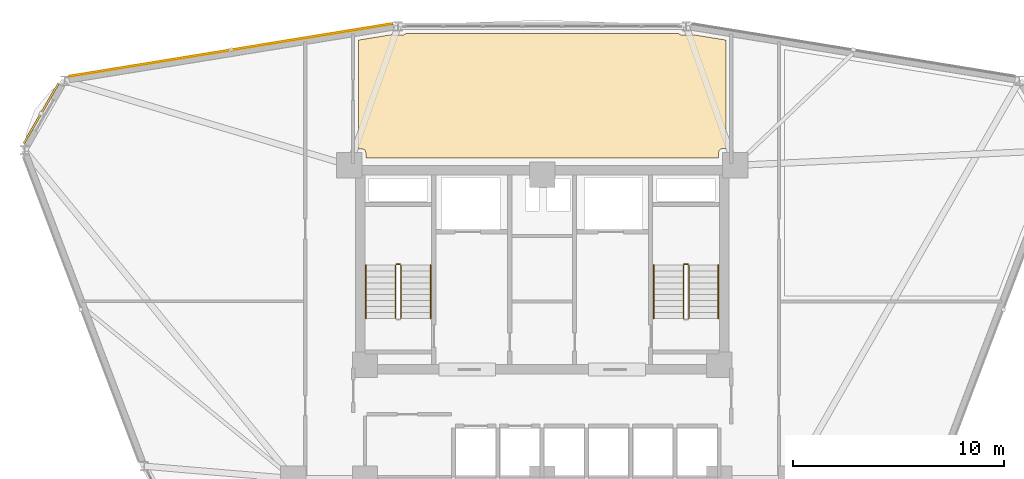
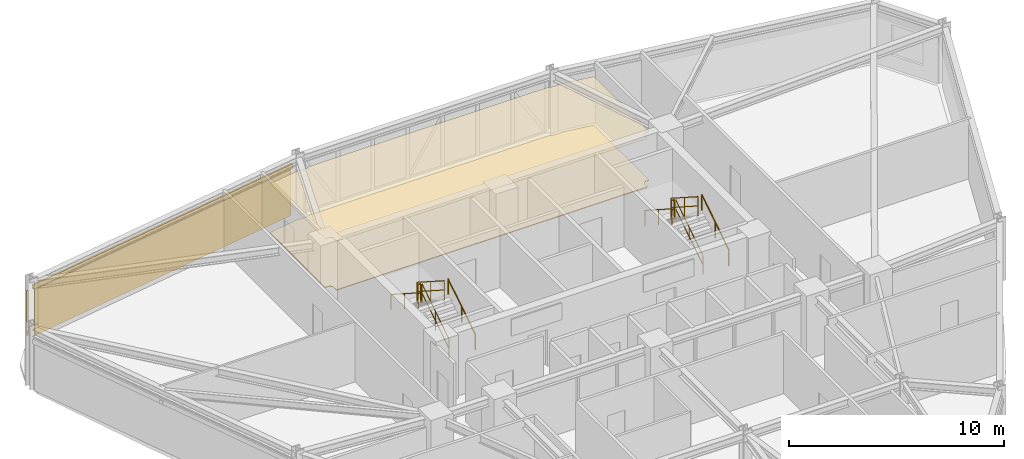
# One storey, part 16 of 17: 10 railings, 3 coverings, 2 shading devices.
"""IFC4 building model written with IfcOpenShell, lengths in metres."""

from ifc_helpers import new_model, si_unit, derived_unit, direction, frame, origin, origin_2d, place, context, subcontext, project, spatial, polyline, hollow_rectangle, circle, outline, extrude, source, transform, mapped, material, layer, layer_set, material_profile, profile_set, type_object, element, save


model = new_model("IFC4")

# Units and contexts
model_context = context("Model", 3, precision=1e-05, world=origin(), true_north=direction((0.0, 1.0)))
body_context = subcontext(model_context, "Body", "Model", "MODEL_VIEW")
ifc_project = project(units=[si_unit("LENGTHUNIT", "METRE"), si_unit("AREAUNIT", "SQUARE_METRE"), si_unit("VOLUMEUNIT", "CUBIC_METRE"), si_unit("PLANEANGLEUNIT", "RADIAN"), si_unit("MASSUNIT", "GRAM", prefix="KILO"), derived_unit("THERMALTRANSMITTANCEUNIT", [(si_unit("POWERUNIT", "WATT"), 1), (si_unit("LENGTHUNIT", "METRE"), -2), (si_unit("THERMODYNAMICTEMPERATUREUNIT", "KELVIN"), -1)])], contexts=[model_context])

# Site, building, storey
site_placement = place(None, origin())
site = spatial("IfcSite", under=ifc_project, at=site_placement, CompositionType="ELEMENT")
building_placement = place(site_placement, origin())
building = spatial("IfcBuilding", under=site, at=building_placement, Name="Korsvarv Bourse and Concert Hall", CompositionType="ELEMENT")
storey_placement = place(building_placement, frame((0.0, 0.0, 120.60009765625)))
storey = spatial("IfcBuildingStorey", under=building, at=storey_placement, Name="L30", CompositionType="ELEMENT", Elevation=120.60009765625)

# Coverings
ifc_material_1 = material(Name="Perforated mineral-wool and birch acoustic baffle ceiling", Category="wood")
ifc_layer_1 = layer(ifc_material_1, 0.02490234375)
ifc_layer_set_1 = layer_set([ifc_layer_1], Name="Perforated mineral-wool and birch acoustic baffle ceiling")
covering_type_1 = type_object("IfcCoveringType", Name="COV-CEIL-1", PredefinedType="CEILING", material=ifc_layer_set_1)
covering_1_placement = place(storey_placement, frame((0.0, 0.0, 2.77978515625)))
element("IfcCovering", 1, at=covering_1_placement, inside=storey, type_object=covering_type_1, Name="L30 acoustic baffle ceiling 2", PredefinedType="CEILING", context=body_context, shape_type="SweptSolid", body=[
    extrude(outline(polyline([(28.88134765625, 53.44921875), (28.91552734375, 53.43798828125), (28.9501953125, 53.43359375), (29.378173828125, 53.423583984375), (29.4130859375, 53.426513671875), (29.447021484375, 53.435791015625), (29.478515625, 53.451416015625), (29.506103515625, 53.472900390625), (29.529052734375, 53.49951171875), (42.46728515625, 53.501220703125), (42.49169921875, 53.47607421875), (42.520263671875, 53.456298828125), (42.55224609375, 53.4423828125), (42.586181640625, 53.43505859375), (43.031494140625, 53.423583984375), (43.06591796875, 53.42626953125), (43.099365234375, 53.435302734375), (43.125732421875, 53.447998046875), (44.7099609375, 53.1904296875), (44.7099609375, 48.0400390625), (44.550048828125, 48.0400390625), (44.515380859375, 48.03662109375), (44.482177734375, 48.026611328125), (44.451416015625, 48.010498046875), (44.42431640625, 47.98876953125), (44.40185546875, 47.962158203125), (44.385009765625, 47.931640625), (44.374267578125, 47.898681640625), (44.3701171875, 47.864013671875), (44.364013671875, 47.60009765625), (27.639892578125, 47.60009765625), (27.639892578125, 47.85009765625), (27.63671875, 47.884521484375), (27.626708984375, 47.917724609375), (27.610595703125, 47.948486328125), (27.589111328125, 47.975341796875), (27.562744140625, 47.997802734375), (27.532470703125, 48.014892578125), (27.49951171875, 48.025634765625), (27.465087890625, 48.02978515625), (27.2900390625, 48.034912109375), (27.2900390625, 53.1904296875), (28.88134765625, 53.44921875)])), origin(), (0.0, 0.0, 1.0), 0.025146484375),
])
ifc_material_2 = material(Name="Warm iron-oxide extruded terracotta rainscreen tile", Category="ceramic")
ifc_layer_2 = layer(ifc_material_2, 0.044921875)
ifc_layer_set_2 = layer_set([ifc_layer_2], Name="Warm iron-oxide extruded terracotta rainscreen tile")
covering_type_2 = type_object("IfcCoveringType", Name="COV-CLD-TC", PredefinedType="CLADDING", material=ifc_layer_set_2)
covering_2_placement = place(storey_placement, origin())
element("IfcCovering", 2, at=covering_2_placement, inside=storey, type_object=covering_type_2, Name="L30 fluted terracotta cladding panel EW-L30-B04", PredefinedType="CLADDING", context=body_context, shape_type="SweptSolid", body=[
    extrude(outline(polyline([(28.858642578125, 53.9267578125), (13.637451171875, 51.45166015625), (13.63037109375, 51.49609375), (28.851318359375, 53.97119140625), (28.858642578125, 53.9267578125)])), origin(), (0.0, 0.0, 1.0), 2.6298828125),
])
ifc_material_3 = material(Name="Calcium-sulphate raised access trading floor with Nordic oak top", Category="wood")
ifc_layer_3 = layer(ifc_material_3, 0.0400390625)
ifc_layer_set_3 = layer_set([ifc_layer_3], Name="Calcium-sulphate raised access trading floor with Nordic oak top")
covering_type_3 = type_object("IfcCoveringType", Name="COV-FLOR-1", PredefinedType="FLOORING", material=ifc_layer_set_3)
covering_3_placement = place(storey_placement, origin())
element("IfcCovering", 3, at=covering_3_placement, inside=storey, type_object=covering_type_3, Name="L30 raised access oak floor finish 2", PredefinedType="FLOORING", context=body_context, shape_type="SweptSolid", body=[
    extrude(outline(polyline([(28.88134765625, 53.44921875), (28.91552734375, 53.43798828125), (28.9501953125, 53.43359375), (29.378173828125, 53.423583984375), (29.4130859375, 53.426513671875), (29.447021484375, 53.435791015625), (29.478515625, 53.451416015625), (29.506103515625, 53.472900390625), (29.529052734375, 53.49951171875), (42.46728515625, 53.501220703125), (42.49169921875, 53.47607421875), (42.520263671875, 53.456298828125), (42.55224609375, 53.4423828125), (42.586181640625, 53.43505859375), (43.031494140625, 53.423583984375), (43.06591796875, 53.42626953125), (43.099365234375, 53.435302734375), (43.125732421875, 53.447998046875), (44.7099609375, 53.1904296875), (44.7099609375, 48.0400390625), (44.550048828125, 48.0400390625), (44.515380859375, 48.03662109375), (44.482177734375, 48.026611328125), (44.451416015625, 48.010498046875), (44.42431640625, 47.98876953125), (44.40185546875, 47.962158203125), (44.385009765625, 47.931640625), (44.374267578125, 47.898681640625), (44.3701171875, 47.864013671875), (44.364013671875, 47.60009765625), (27.639892578125, 47.60009765625), (27.639892578125, 47.85009765625), (27.63671875, 47.884521484375), (27.626708984375, 47.917724609375), (27.610595703125, 47.948486328125), (27.589111328125, 47.975341796875), (27.562744140625, 47.997802734375), (27.532470703125, 48.014892578125), (27.49951171875, 48.025634765625), (27.465087890625, 48.02978515625), (27.2900390625, 48.034912109375), (27.2900390625, 53.1904296875), (28.88134765625, 53.44921875)])), origin(), (0.0, 0.0, 1.0), 0.039794921875),
])

# Railings
ifc_material_4 = material(Name="Painted Steel S355 stair well guardrail", Category="steel")
railing_type_1 = type_object("IfcRailingType", Name="RL-ST-GRD", PredefinedType="GUARDRAIL", material=ifc_material_4)
railing_1_placement = place(storey_placement, frame((29.31005859375, 40.0, 0.179931640625)))
element("IfcRailing", 4, at=railing_1_placement, inside=storey, type_object=railing_type_1, Name="L30 ST-T1 stair guard 1", PredefinedType="GUARDRAIL", context=body_context, shape_type="SweptSolid", body=[
    extrude(circle(Radius=0.02392578125, at=origin_2d()), frame((0.0, 0.0, 1.076171875), z_axis=(0.0, 0.841199657755, 0.540724639528), x_axis=(-1.0, 0.0, 0.0)), (0.0, 0.0, 1.0), 2.995849609375),
    extrude(circle(Radius=0.02392578125, at=origin_2d()), frame((0.0, 0.0, 0.550048828125), z_axis=(0.0, 0.841199657755, 0.540724639528), x_axis=(-1.0, 0.0, 0.0)), (0.0, 0.0, 1.0), 2.995849609375),
    extrude(circle(Radius=0.02099609375, at=origin_2d()), origin(), (0.0, 0.0, 1.0), 1.052001953125),
    extrude(circle(Radius=0.02099609375, at=origin_2d()), frame((0.0, 1.260009765625, 0.81005859375)), (0.0, 0.0, 1.0), 1.052001953125),
    extrude(circle(Radius=0.02099609375, at=origin_2d()), frame((0.0, 2.52001953125, 1.619873046875)), (0.0, 0.0, 1.0), 1.052001953125),
])
railing_2_placement = place(storey_placement, frame((29.260009765625, 42.570068359375, 1.7998046875)))
element("IfcRailing", 5, at=railing_2_placement, inside=storey, type_object=railing_type_1, Name="L30 ST-T1 stair guard 2", PredefinedType="GUARDRAIL", context=body_context, shape_type="SweptSolid", body=[
    extrude(circle(Radius=0.02392578125, at=origin_2d()), frame((0.0, 0.0, 1.076171875), z_axis=(-1.0, 0.0, 0.0), x_axis=(0.0, -1.0, 0.0)), (0.0, 0.0, 1.0), 0.159912109375),
    extrude(circle(Radius=0.02392578125, at=origin_2d()), frame((0.0, 0.0, 0.550048828125), z_axis=(-1.0, 0.0, 0.0), x_axis=(0.0, -1.0, 0.0)), (0.0, 0.0, 1.0), 0.159912109375),
    extrude(circle(Radius=0.02099609375, at=origin_2d()), origin(), (0.0, 0.0, 1.0), 1.052001953125),
    extrude(circle(Radius=0.02099609375, at=origin_2d()), frame((-0.159912109375, 0.0, 0.0)), (0.0, 0.0, 1.0), 1.052001953125),
])
railing_3_placement = place(storey_placement, frame((29.050048828125, 42.52001953125, 1.97998046875)))
element("IfcRailing", 6, at=railing_3_placement, inside=storey, type_object=railing_type_1, Name="L30 ST-T1 stair guard 3", PredefinedType="GUARDRAIL", context=body_context, shape_type="SweptSolid", body=[
    extrude(circle(Radius=0.02392578125, at=origin_2d()), frame((0.0, 0.0, 1.076171875), z_axis=(0.0, -0.841199657755, 0.540724639528), x_axis=(1.0, 0.0, 0.0)), (0.0, 0.0, 1.0), 2.995849609375),
    extrude(circle(Radius=0.02392578125, at=origin_2d()), frame((0.0, 0.0, 0.550048828125), z_axis=(0.0, -0.841199657755, 0.540724639528), x_axis=(1.0, 0.0, 0.0)), (0.0, 0.0, 1.0), 2.995849609375),
    extrude(circle(Radius=0.02099609375, at=origin_2d()), origin(), (0.0, 0.0, 1.0), 1.052001953125),
    extrude(circle(Radius=0.02099609375, at=origin_2d()), frame((0.0, -1.260009765625, 0.81005859375)), (0.0, 0.0, 1.0), 1.052001953125),
    extrude(circle(Radius=0.02099609375, at=origin_2d()), frame((0.0, -2.52001953125, 1.619873046875)), (0.0, 0.0, 1.0), 1.052001953125),
])
railing_4_placement = place(storey_placement, frame((42.949951171875, 40.0, 0.179931640625)))
element("IfcRailing", 7, at=railing_4_placement, inside=storey, type_object=railing_type_1, Name="L30 ST-T2 stair guard 1", PredefinedType="GUARDRAIL", context=body_context, shape_type="SweptSolid", body=[
    extrude(circle(Radius=0.02392578125, at=origin_2d()), frame((0.0, 0.0, 1.076171875), z_axis=(0.0, 0.841199657755, 0.540724639528), x_axis=(-1.0, 0.0, 0.0)), (0.0, 0.0, 1.0), 2.995849609375),
    extrude(circle(Radius=0.02392578125, at=origin_2d()), frame((0.0, 0.0, 0.550048828125), z_axis=(0.0, 0.841199657755, 0.540724639528), x_axis=(-1.0, 0.0, 0.0)), (0.0, 0.0, 1.0), 2.995849609375),
    extrude(circle(Radius=0.02099609375, at=origin_2d()), origin(), (0.0, 0.0, 1.0), 1.052001953125),
    extrude(circle(Radius=0.02099609375, at=origin_2d()), frame((0.0, 1.260009765625, 0.81005859375)), (0.0, 0.0, 1.0), 1.052001953125),
    extrude(circle(Radius=0.02099609375, at=origin_2d()), frame((0.0, 2.52001953125, 1.619873046875)), (0.0, 0.0, 1.0), 1.052001953125),
])
railing_5_placement = place(storey_placement, frame((42.89990234375, 42.570068359375, 1.7998046875)))
element("IfcRailing", 8, at=railing_5_placement, inside=storey, type_object=railing_type_1, Name="L30 ST-T2 stair guard 2", PredefinedType="GUARDRAIL", context=body_context, shape_type="SweptSolid", body=[
    extrude(circle(Radius=0.02392578125, at=origin_2d()), frame((0.0, 0.0, 1.076171875), z_axis=(-1.0, 0.0, 0.0), x_axis=(0.0, -1.0, 0.0)), (0.0, 0.0, 1.0), 0.159912109375),
    extrude(circle(Radius=0.02392578125, at=origin_2d()), frame((0.0, 0.0, 0.550048828125), z_axis=(-1.0, 0.0, 0.0), x_axis=(0.0, -1.0, 0.0)), (0.0, 0.0, 1.0), 0.159912109375),
    extrude(circle(Radius=0.02099609375, at=origin_2d()), origin(), (0.0, 0.0, 1.0), 1.052001953125),
    extrude(circle(Radius=0.02099609375, at=origin_2d()), frame((-0.159912109375, 0.0, 0.0)), (0.0, 0.0, 1.0), 1.052001953125),
])
railing_6_placement = place(storey_placement, frame((42.68994140625, 42.52001953125, 1.97998046875)))
element("IfcRailing", 9, at=railing_6_placement, inside=storey, type_object=railing_type_1, Name="L30 ST-T2 stair guard 3", PredefinedType="GUARDRAIL", context=body_context, shape_type="SweptSolid", body=[
    extrude(circle(Radius=0.02392578125, at=origin_2d()), frame((0.0, 0.0, 1.076171875), z_axis=(0.0, -0.841199657755, 0.540724639528), x_axis=(1.0, 0.0, 0.0)), (0.0, 0.0, 1.0), 2.995849609375),
    extrude(circle(Radius=0.02392578125, at=origin_2d()), frame((0.0, 0.0, 0.550048828125), z_axis=(0.0, -0.841199657755, 0.540724639528), x_axis=(1.0, 0.0, 0.0)), (0.0, 0.0, 1.0), 2.995849609375),
    extrude(circle(Radius=0.02099609375, at=origin_2d()), origin(), (0.0, 0.0, 1.0), 1.052001953125),
    extrude(circle(Radius=0.02099609375, at=origin_2d()), frame((0.0, -1.260009765625, 0.81005859375)), (0.0, 0.0, 1.0), 1.052001953125),
    extrude(circle(Radius=0.02099609375, at=origin_2d()), frame((0.0, -2.52001953125, 1.619873046875)), (0.0, 0.0, 1.0), 1.052001953125),
])
ifc_material_5 = material(Name="Brushed stainless Steel S355 tubular handrail", Category="steel")
railing_type_2 = type_object("IfcRailingType", Name="RL-ST-HND", PredefinedType="HANDRAIL", material=ifc_material_5)
railing_7_placement = place(storey_placement, frame((30.7099609375, 40.0, 0.179931640625)))
element("IfcRailing", 10, at=railing_7_placement, inside=storey, type_object=railing_type_2, Name="L30 ST-T1 stair handrail 1", PredefinedType="HANDRAIL", context=body_context, shape_type="SweptSolid", body=[
    extrude(circle(Radius=0.02392578125, at=origin_2d()), frame((0.0, 0.0, 0.8759765625), z_axis=(0.0, 0.841199657755, 0.540724639528), x_axis=(-1.0, 0.0, 0.0)), (0.0, 0.0, 1.0), 2.995849609375),
    extrude(circle(Radius=0.02099609375, at=origin_2d()), origin(), (0.0, 0.0, 1.0), 0.851806640625),
    extrude(circle(Radius=0.02099609375, at=origin_2d()), frame((0.0, 1.260009765625, 0.81005859375)), (0.0, 0.0, 1.0), 0.851806640625),
    extrude(circle(Radius=0.02099609375, at=origin_2d()), frame((0.0, 2.52001953125, 1.619873046875)), (0.0, 0.0, 1.0), 0.851806640625),
])
railing_8_placement = place(storey_placement, frame((27.64990234375, 42.52001953125, 1.97998046875)))
element("IfcRailing", 11, at=railing_8_placement, inside=storey, type_object=railing_type_2, Name="L30 ST-T1 stair handrail 2", PredefinedType="HANDRAIL", context=body_context, shape_type="SweptSolid", body=[
    extrude(circle(Radius=0.02392578125, at=origin_2d()), frame((0.0, 0.0, 0.8759765625), z_axis=(0.0, -0.841199657755, 0.540724639528), x_axis=(1.0, 0.0, 0.0)), (0.0, 0.0, 1.0), 2.995849609375),
    extrude(circle(Radius=0.02099609375, at=origin_2d()), origin(), (0.0, 0.0, 1.0), 0.851806640625),
    extrude(circle(Radius=0.02099609375, at=origin_2d()), frame((0.0, -1.260009765625, 0.81005859375)), (0.0, 0.0, 1.0), 0.851806640625),
    extrude(circle(Radius=0.02099609375, at=origin_2d()), frame((0.0, -2.52001953125, 1.619873046875)), (0.0, 0.0, 1.0), 0.851806640625),
])
railing_9_placement = place(storey_placement, frame((44.35009765625, 40.0, 0.179931640625)))
element("IfcRailing", 12, at=railing_9_placement, inside=storey, type_object=railing_type_2, Name="L30 ST-T2 stair handrail 1", PredefinedType="HANDRAIL", context=body_context, shape_type="SweptSolid", body=[
    extrude(circle(Radius=0.02392578125, at=origin_2d()), frame((0.0, 0.0, 0.8759765625), z_axis=(0.0, 0.841199657755, 0.540724639528), x_axis=(-1.0, 0.0, 0.0)), (0.0, 0.0, 1.0), 2.995849609375),
    extrude(circle(Radius=0.02099609375, at=origin_2d()), origin(), (0.0, 0.0, 1.0), 0.851806640625),
    extrude(circle(Radius=0.02099609375, at=origin_2d()), frame((0.0, 1.260009765625, 0.81005859375)), (0.0, 0.0, 1.0), 0.851806640625),
    extrude(circle(Radius=0.02099609375, at=origin_2d()), frame((0.0, 2.52001953125, 1.619873046875)), (0.0, 0.0, 1.0), 0.851806640625),
])
railing_10_placement = place(storey_placement, frame((41.2900390625, 42.52001953125, 1.97998046875)))
element("IfcRailing", 13, at=railing_10_placement, inside=storey, type_object=railing_type_2, Name="L30 ST-T2 stair handrail 2", PredefinedType="HANDRAIL", context=body_context, shape_type="SweptSolid", body=[
    extrude(circle(Radius=0.02392578125, at=origin_2d()), frame((0.0, 0.0, 0.8759765625), z_axis=(0.0, -0.841199657755, 0.540724639528), x_axis=(1.0, 0.0, 0.0)), (0.0, 0.0, 1.0), 2.995849609375),
    extrude(circle(Radius=0.02099609375, at=origin_2d()), origin(), (0.0, 0.0, 1.0), 0.851806640625),
    extrude(circle(Radius=0.02099609375, at=origin_2d()), frame((0.0, -1.260009765625, 0.81005859375)), (0.0, 0.0, 1.0), 0.851806640625),
    extrude(circle(Radius=0.02099609375, at=origin_2d()), frame((0.0, -2.52001953125, 1.619873046875)), (0.0, 0.0, 1.0), 0.851806640625),
])

# Shading devices
ifc_material_6 = material(Name="Glazed extruded architectural terracotta", Category="ceramic")
ifc_material_profile = material_profile(ifc_material_6, hollow_rectangle(XDim=0.090087890625, YDim=0.260009765625, WallThickness=0.011962890625, at=origin_2d()), Name="TC-BAG 90x260")
ifc_profile_set = profile_set([ifc_material_profile], Name="Glazed extruded architectural terracotta")
shading_device_type = type_object("IfcShadingDeviceType", Name="SHD-BAG-1", PredefinedType="USERDEFINED", material=ifc_profile_set)
shared_shape_1 = source(origin(), body_context, "Body", "SweptSolid", [
    extrude(hollow_rectangle(XDim=0.090087890625, YDim=0.260009765625, WallThickness=0.011962890625, at=origin_2d()), origin(), (0.0, 0.0, 1.0), 3.279296875),
])
shading_device_1_placement = place(storey_placement, frame((13.07177734375, 51.130859375, 2.83984375), z_axis=(-0.500014611105, -0.866016967894, 0.0), x_axis=(0.866016967894, -0.500014611105, 0.0)))
element("IfcShadingDevice", 14, at=shading_device_1_placement, inside=storey, type_object=shading_device_type, Name="L30 terracotta baguette sunshade EW-L30-B05", ObjectType="BAGUETTE", PredefinedType="USERDEFINED", context=body_context, shape_type="MappedRepresentation", body=[
    mapped(shared_shape_1, transform((0.0, 0.0, 0.0), scale=1.0)),
])
shared_shape_2 = source(origin(), body_context, "Body", "SweptSolid", [
    extrude(hollow_rectangle(XDim=0.090087890625, YDim=0.260009765625, WallThickness=0.011962890625, at=origin_2d()), origin(), (0.0, 0.0, 1.0), 15.5810546875),
])
shading_device_2_placement = place(storey_placement, frame((28.93115234375, 53.97900390625, 2.789794921875), z_axis=(-0.987036263752, -0.160497395736, 0.0), x_axis=(0.160497395736, -0.987036263752, 0.0)))
element("IfcShadingDevice", 15, at=shading_device_2_placement, inside=storey, type_object=shading_device_type, Name="L30 terracotta baguette sunshade EW-L30-B04", ObjectType="BAGUETTE", PredefinedType="USERDEFINED", context=body_context, shape_type="MappedRepresentation", body=[
    mapped(shared_shape_2, transform((0.0, 0.0, 0.0), scale=1.0)),
])

save(model, "model.ifc")
